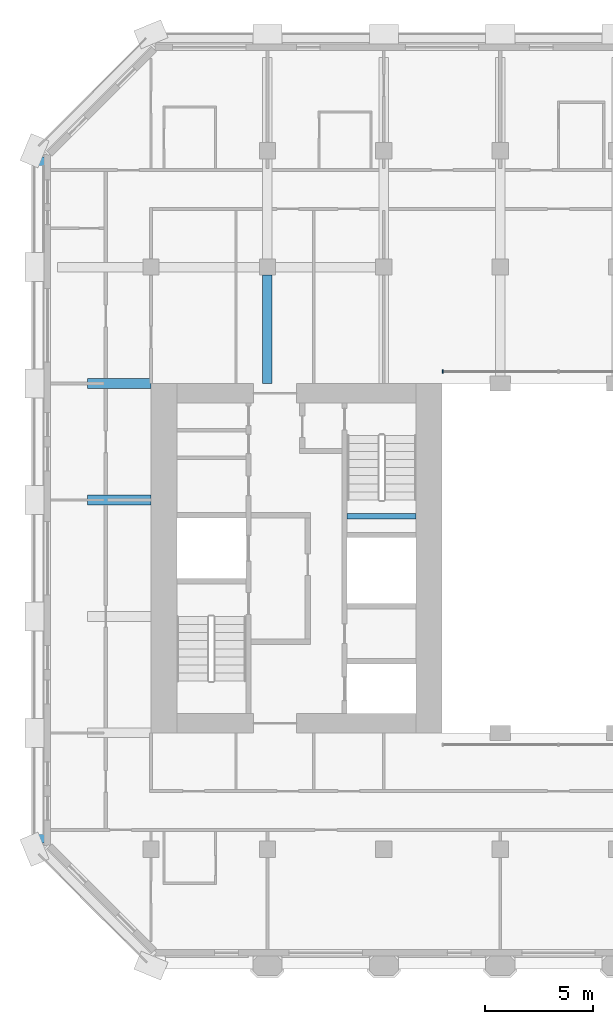
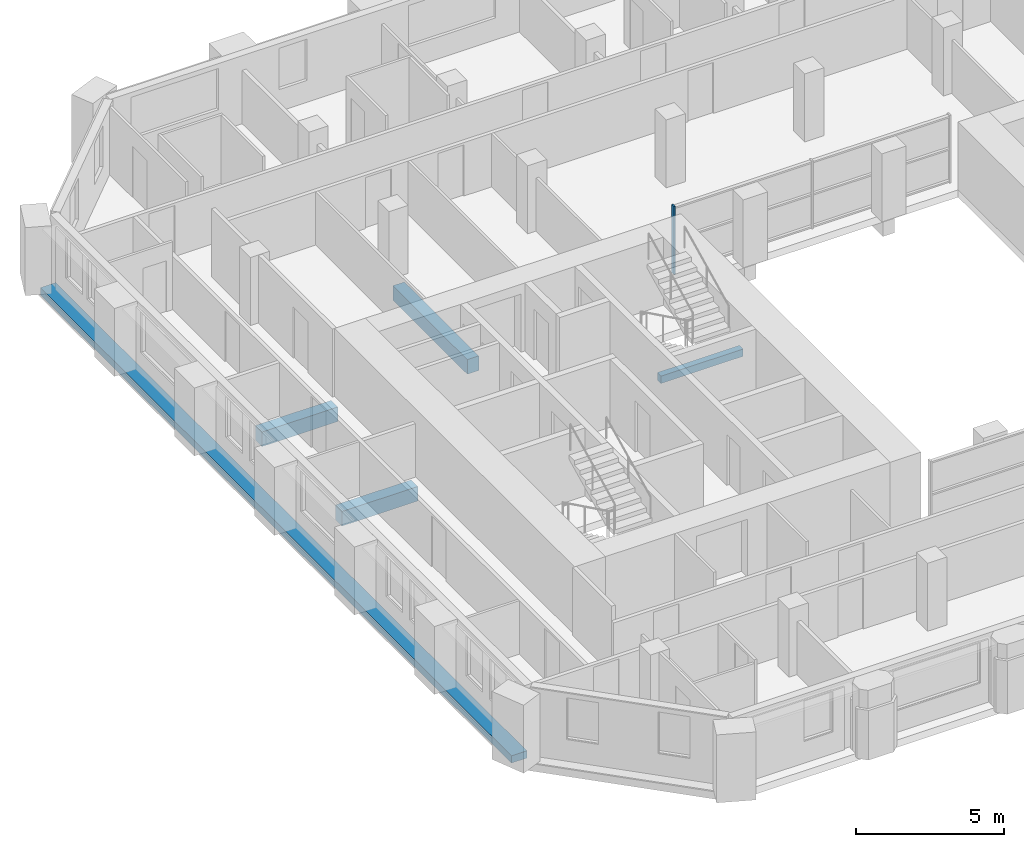
# One storey, part 3 of 14: 5 beams, 1 member, 1 element without a shape of its own.
"""IFC4 building model written with IfcOpenShell, lengths in metres."""

from ifc_helpers import new_model, si_unit, direction, frame, origin, origin_2d, place, context, subcontext, project, spatial, rectangle, extrude, material, material_profile, profile_set, type_object, element, aggregate, save


model = new_model("IFC4")

# Units and contexts
model_context = context("Model", 3, precision=1e-05, world=origin(), true_north=direction((0.0, 1.0)))
body_context = subcontext(model_context, "Body", "Model", "MODEL_VIEW")
ifc_project = project(units=[si_unit("LENGTHUNIT", "METRE"), si_unit("AREAUNIT", "SQUARE_METRE"), si_unit("VOLUMEUNIT", "CUBIC_METRE"), si_unit("PLANEANGLEUNIT", "RADIAN"), si_unit("MASSUNIT", "GRAM", prefix="KILO")], contexts=[model_context])

# Site, building, storey
site_placement = place(None, origin())
site = spatial("IfcSite", under=ifc_project, at=site_placement, CompositionType="ELEMENT")
building_placement = place(site_placement, origin())
building = spatial("IfcBuilding", under=site, at=building_placement, Name="Tabaq Tower and Sports Hall", CompositionType="ELEMENT")
storey_placement = place(building_placement, frame((0.0, 0.0, 230.199951171875)))
storey = spatial("IfcBuildingStorey", under=building, at=storey_placement, Name="L58", CompositionType="ELEMENT", Elevation=230.199951171875)

# Curtain wall, member
ifc_material_1 = material(Name="Aluminium alloy 6063-T6 framed glazing", Category="aluminium")
curtain_wall_type = type_object("IfcCurtainWallType", Name="CW1 curtain wall", PredefinedType="USERDEFINED", material=ifc_material_1)
curtain_wall_placement = place(storey_placement, origin())
curtain_wall = element("IfcCurtainWall", 1, at=curtain_wall_placement, inside=storey, type_object=curtain_wall_type, Name="Atrium glazing L58 N", ObjectType="ATRIUM ENCLOSURE", PredefinedType="USERDEFINED")
ifc_material_2 = material(Name="Aluminium alloy 6063-T6", Category="aluminium")
ifc_material_profile_1 = material_profile(ifc_material_2, rectangle(XDim=0.159912109375, YDim=0.06005859375, at=origin_2d()), Name="MULLION 160x60")
ifc_profile_set_1 = profile_set([ifc_material_profile_1], Name="Aluminium alloy 6063-T6")
member_type = type_object("IfcMemberType", Name="CW1 mullion 160x60", PredefinedType="MULLION", material=ifc_profile_set_1)
member_placement = place(storey_placement, frame((18.929931640625, 32.949951171875, 0.0), z_axis=(0.0, 0.0, 1.0), x_axis=(0.0, 1.0, 0.0)))
member = element("IfcMember", 2, at=member_placement, type_object=member_type, Name="CW1 mullion 1", PredefinedType="MULLION", context=body_context, shape_type="SweptSolid", body=[
    extrude(rectangle(XDim=0.159912109375, YDim=0.06005859375, at=origin_2d()), origin(), (0.0, 0.0, 1.0), 2.800048828125),
])
aggregate(curtain_wall, [member])

# Beams
ifc_material_3 = material(Name="Concrete C40/50", Category="concrete")
ifc_material_profile_2 = material_profile(ifc_material_3, rectangle(XDim=0.449951171875, YDim=0.60009765625, at=origin_2d()), Name="CB 450x600")
ifc_profile_set_2 = profile_set([ifc_material_profile_2], Name="Concrete C40/50")
beam_type_1 = type_object("IfcBeamType", Name="PT CANTILEVER BEAM CB 450x600 C40/50", PredefinedType="BEAM", material=ifc_profile_set_2)
for number, where, z_axis, x_axis, name in (
    (3, (2.449951171875, 27.0, -0.599853515625), (1.0, 0.0, 0.0), (0.0, 1.0, 0.0), "Cantilever Beam L58 W5 span 1"),
    (4, (2.449951171875, 32.39990234375, -0.599853515625), (1.0, 0.0, 0.0), (0.0, 1.0, 0.0), "Cantilever Beam L58 W6 span 1"),
):
    element("IfcBeam", number, at=place(storey_placement, frame(where, z_axis=z_axis, x_axis=x_axis)), inside=storey, type_object=beam_type_1, Name=name, PredefinedType="BEAM", context=body_context, shape_type="SweptSolid", body=[
        extrude(rectangle(XDim=0.449951171875, YDim=0.60009765625, at=origin_2d()), origin(), (0.0, 0.0, 1.0), 2.949951171875),
    ])
beam_1_placement = place(storey_placement, frame((10.800048828125, 37.425048828125, -0.599853515625), z_axis=(0.0, -1.0, 0.0), x_axis=(1.0, 0.0, 0.0)))
element("IfcBeam", 5, at=beam_1_placement, inside=storey, type_object=beam_type_1, Name="Cantilever Beam L58 N2 span 3", PredefinedType="BEAM", context=body_context, shape_type="SweptSolid", body=[
    extrude(rectangle(XDim=0.449951171875, YDim=0.60009765625, at=origin_2d()), origin(), (0.0, 0.0, 1.0), 5.025146484375),
])
ifc_material_4 = material(Name="Concrete C40/50", Category="concrete")
ifc_material_profile_3 = material_profile(ifc_material_4, rectangle(XDim=0.60009765625, YDim=0.300048828125, at=origin_2d()), Name="EB 600x300")
ifc_profile_set_3 = profile_set([ifc_material_profile_3], Name="Concrete C40/50")
beam_type_2 = type_object("IfcBeamType", Name="PT EDGE BEAM EB 600x300 C40/50", PredefinedType="SPANDREL", material=ifc_profile_set_3)
beam_2_placement = place(storey_placement, frame((0.300048828125, 42.9013671875, -0.14990234375), z_axis=(0.0, -1.0, 0.0), x_axis=(1.0, 0.0, 0.0)))
element("IfcBeam", 6, at=beam_2_placement, inside=storey, type_object=beam_type_2, Name="Edge Beam L58 4", PredefinedType="SPANDREL", context=body_context, shape_type="SweptSolid", body=[
    extrude(rectangle(XDim=0.60009765625, YDim=0.300048828125, at=origin_2d()), origin(), (0.0, 0.0, 1.0), 31.802734375),
])
ifc_material_5 = material(Name="Concrete C40/50", Category="concrete")
ifc_material_profile_4 = material_profile(ifc_material_5, rectangle(XDim=0.25, YDim=0.300048828125, at=origin_2d()), Name="RC 250x300")
ifc_profile_set_4 = profile_set([ifc_material_profile_4], Name="Concrete C40/50")
beam_type_3 = type_object("IfcBeamType", Name="Stair landing beam 250x300", PredefinedType="BEAM", material=ifc_profile_set_4)
beam_3_placement = place(storey_placement, frame((14.5, 26.25, 1.300048828125), z_axis=(1.0, 0.0, 0.0), x_axis=(0.0, 1.0, 0.0)))
element("IfcBeam", 7, at=beam_3_placement, inside=storey, type_object=beam_type_3, Name="L58 ST2 landing beam 1", PredefinedType="BEAM", context=body_context, shape_type="SweptSolid", body=[
    extrude(rectangle(XDim=0.25, YDim=0.300048828125, at=origin_2d()), origin(), (0.0, 0.0, 1.0), 3.199951171875),
])

save(model, "model.ifc")
